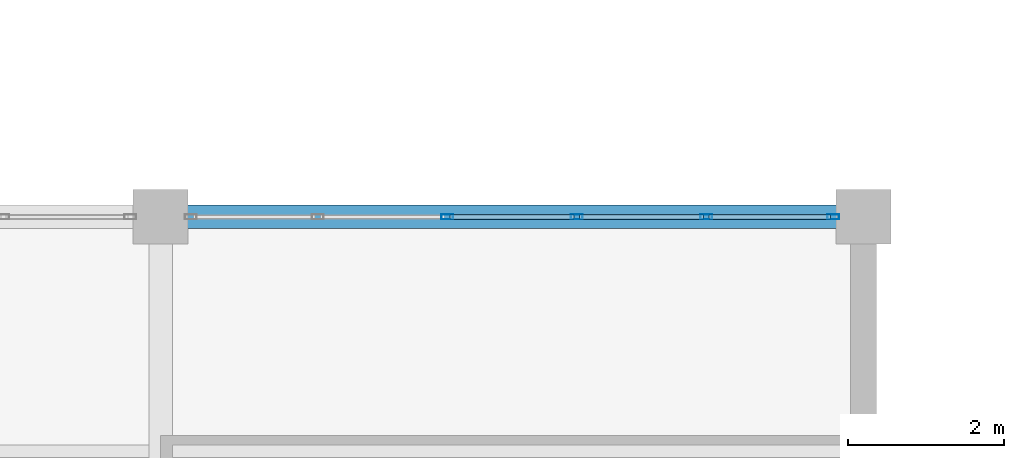
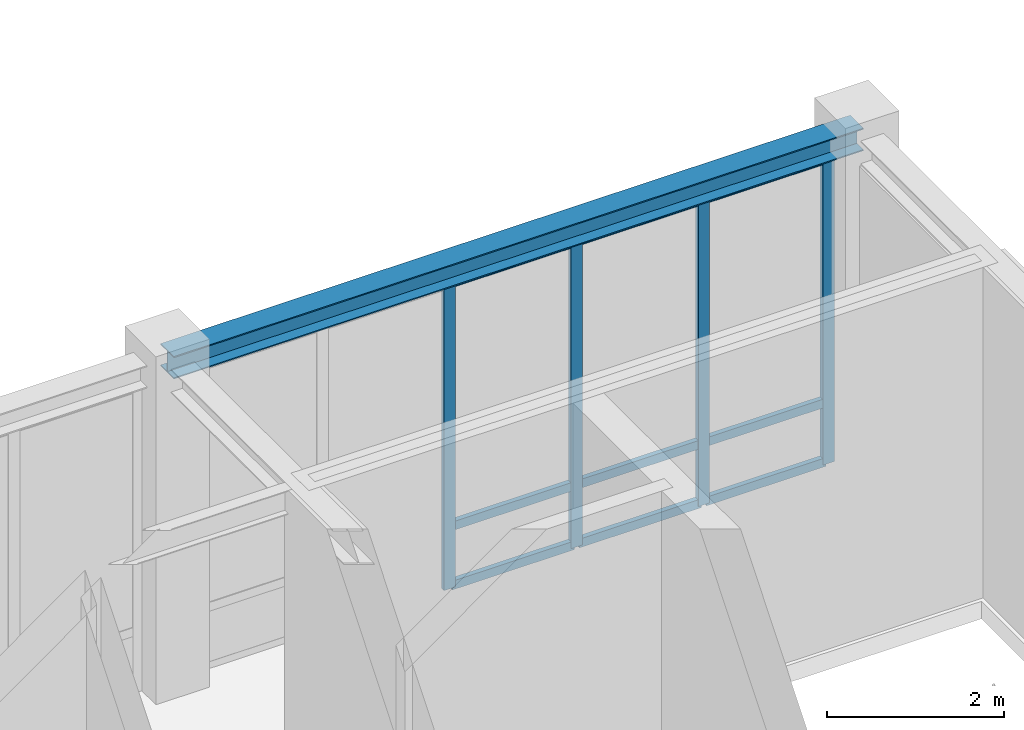
# One storey, part 34 of 98: 13 members, 1 beam, 1 element without a shape of its own.
"""IFC4 building model written with IfcOpenShell, lengths in metres."""

from ifc_helpers import new_model, si_unit, direction, frame, origin, origin_2d, place, context, subcontext, project, spatial, hollow_rectangle, i_section, extrude, material, material_profile, profile_set, type_object, element, aggregate, save


model = new_model("IFC4")

# Units and contexts
model_context = context("Model", 3, precision=1e-05, world=origin(), true_north=direction((0.0, 1.0)))
body_context = subcontext(model_context, "Body", "Model", "MODEL_VIEW")
ifc_project = project(units=[si_unit("LENGTHUNIT", "METRE"), si_unit("AREAUNIT", "SQUARE_METRE"), si_unit("VOLUMEUNIT", "CUBIC_METRE"), si_unit("PLANEANGLEUNIT", "RADIAN"), si_unit("MASSUNIT", "GRAM", prefix="KILO")], contexts=[model_context])

# Site, building, storey
site_placement = place(None, origin())
site = spatial("IfcSite", under=ifc_project, at=site_placement, CompositionType="ELEMENT")
building_placement = place(site_placement, origin())
building = spatial("IfcBuilding", under=site, at=building_placement, Name="Lykobir Media Centre", CompositionType="ELEMENT")
storey_placement = place(building_placement, frame((0.0, 0.0, 10.199951171875)))
storey = spatial("IfcBuildingStorey", under=building, at=storey_placement, Name="L02", CompositionType="ELEMENT", Elevation=10.199951171875)

# Curtain wall, members
ifc_material_1 = material(Name="Anodized Aluminium AW-6060", Category="aluminium")
curtain_wall_type = type_object("IfcCurtainWallType", Name="CW-COURT-A", PredefinedType="NOTDEFINED", material=ifc_material_1)
curtain_wall_placement = place(storey_placement, origin())
curtain_wall = element("IfcCurtainWall", 1, at=curtain_wall_placement, inside=storey, type_object=curtain_wall_type, Name="Curtain wall CW2-L02-0101", PredefinedType="NOTDEFINED")
ifc_material_profile_1 = material_profile(ifc_material_1, hollow_rectangle(XDim=0.06494140625, YDim=0.14990234375, WallThickness=0.00341796875, at=origin_2d()), Name="ALU MULLION 65x150")
ifc_profile_set_1 = profile_set([ifc_material_profile_1], Name="Anodized Aluminium AW-6060")
member_type_1 = type_object("IfcMemberType", Name="CWM-150", PredefinedType="MULLION", material=ifc_profile_set_1)
member_1_placement = place(storey_placement, frame((120.6708984375, 18.0, 0.0), z_axis=(0.0, 0.0, 1.0), x_axis=(0.0, 1.0, 0.0)))
member_1 = element("IfcMember", 2, at=member_1_placement, type_object=member_type_1, Name="CW2-L02-0101 mullion 3", PredefinedType="MULLION", context=body_context, shape_type="SweptSolid", body=[
    extrude(hollow_rectangle(XDim=0.06494140625, YDim=0.14990234375, WallThickness=0.00341796875, at=origin_2d()), origin(), (0.0, 0.0, 1.0), 4.235107421875),
])
member_2_placement = place(storey_placement, frame((122.3291015625, 18.0, 0.0), z_axis=(0.0, 0.0, 1.0), x_axis=(0.0, 1.0, 0.0)))
member_2 = element("IfcMember", 3, at=member_2_placement, type_object=member_type_1, Name="CW2-L02-0101 mullion 4", PredefinedType="MULLION", context=body_context, shape_type="SweptSolid", body=[
    extrude(hollow_rectangle(XDim=0.06494140625, YDim=0.14990234375, WallThickness=0.00341796875, at=origin_2d()), origin(), (0.0, 0.0, 1.0), 4.235107421875),
])
member_3_placement = place(storey_placement, frame((123.987060546875, 18.0, 0.0), z_axis=(0.0, 0.0, 1.0), x_axis=(0.0, 1.0, 0.0)))
member_3 = element("IfcMember", 4, at=member_3_placement, type_object=member_type_1, Name="CW2-L02-0101 mullion 5", PredefinedType="MULLION", context=body_context, shape_type="SweptSolid", body=[
    extrude(hollow_rectangle(XDim=0.06494140625, YDim=0.14990234375, WallThickness=0.00341796875, at=origin_2d()), origin(), (0.0, 0.0, 1.0), 4.235107421875),
])
member_4_placement = place(storey_placement, frame((125.612548828125, 18.0, 0.0), z_axis=(0.0, 0.0, 1.0), x_axis=(0.0, 1.0, 0.0)))
member_4 = element("IfcMember", 5, at=member_4_placement, type_object=member_type_1, Name="CW2-L02-0101 mullion 6", PredefinedType="MULLION", context=body_context, shape_type="SweptSolid", body=[
    extrude(hollow_rectangle(XDim=0.06494140625, YDim=0.14990234375, WallThickness=0.00341796875, at=origin_2d()), origin(), (0.0, 0.0, 1.0), 4.235107421875),
])
ifc_material_profile_2 = material_profile(ifc_material_1, hollow_rectangle(XDim=0.06494140625, YDim=0.1201171875, WallThickness=0.0029296875, at=origin_2d()), Name="ALU TRANSOM 65x120")
ifc_profile_set_2 = profile_set([ifc_material_profile_2], Name="Anodized Aluminium AW-6060")
member_type_2 = type_object("IfcMemberType", Name="CWT-120", PredefinedType="USERDEFINED", material=ifc_profile_set_2)
member_5_placement = place(storey_placement, frame((120.70361328125, 18.0, 0.032470703125), z_axis=(1.0, 0.0, 0.0), x_axis=(0.0, 1.0, 0.0)))
member_5 = element("IfcMember", 6, at=member_5_placement, type_object=member_type_2, Name="CW2-L02-0101 transom 3.1", ObjectType="TRANSOM", PredefinedType="USERDEFINED", context=body_context, shape_type="SweptSolid", body=[
    extrude(hollow_rectangle(XDim=0.06494140625, YDim=0.1201171875, WallThickness=0.0029296875, at=origin_2d()), origin(), (0.0, 0.0, 1.0), 1.5927734375),
])
member_6_placement = place(storey_placement, frame((120.70361328125, 18.0, 0.85009765625), z_axis=(1.0, 0.0, 0.0), x_axis=(0.0, 1.0, 0.0)))
member_6 = element("IfcMember", 7, at=member_6_placement, type_object=member_type_2, Name="CW2-L02-0101 transom 3.2", ObjectType="TRANSOM", PredefinedType="USERDEFINED", context=body_context, shape_type="SweptSolid", body=[
    extrude(hollow_rectangle(XDim=0.06494140625, YDim=0.1201171875, WallThickness=0.0029296875, at=origin_2d()), origin(), (0.0, 0.0, 1.0), 1.5927734375),
])
member_7_placement = place(storey_placement, frame((120.70361328125, 18.0, 4.20263671875), z_axis=(1.0, 0.0, 0.0), x_axis=(0.0, 1.0, 0.0)))
member_7 = element("IfcMember", 8, at=member_7_placement, type_object=member_type_2, Name="CW2-L02-0101 transom 3.3", ObjectType="TRANSOM", PredefinedType="USERDEFINED", context=body_context, shape_type="SweptSolid", body=[
    extrude(hollow_rectangle(XDim=0.06494140625, YDim=0.1201171875, WallThickness=0.0029296875, at=origin_2d()), origin(), (0.0, 0.0, 1.0), 1.5927734375),
])
member_8_placement = place(storey_placement, frame((122.361572265625, 18.0, 0.032470703125), z_axis=(1.0, 0.0, 0.0), x_axis=(0.0, 1.0, 0.0)))
member_8 = element("IfcMember", 9, at=member_8_placement, type_object=member_type_2, Name="CW2-L02-0101 transom 4.1", ObjectType="TRANSOM", PredefinedType="USERDEFINED", context=body_context, shape_type="SweptSolid", body=[
    extrude(hollow_rectangle(XDim=0.06494140625, YDim=0.1201171875, WallThickness=0.0029296875, at=origin_2d()), origin(), (0.0, 0.0, 1.0), 1.593017578125),
])
member_9_placement = place(storey_placement, frame((122.361572265625, 18.0, 0.85009765625), z_axis=(1.0, 0.0, 0.0), x_axis=(0.0, 1.0, 0.0)))
member_9 = element("IfcMember", 10, at=member_9_placement, type_object=member_type_2, Name="CW2-L02-0101 transom 4.2", ObjectType="TRANSOM", PredefinedType="USERDEFINED", context=body_context, shape_type="SweptSolid", body=[
    extrude(hollow_rectangle(XDim=0.06494140625, YDim=0.1201171875, WallThickness=0.0029296875, at=origin_2d()), origin(), (0.0, 0.0, 1.0), 1.593017578125),
])
member_10_placement = place(storey_placement, frame((122.361572265625, 18.0, 4.20263671875), z_axis=(1.0, 0.0, 0.0), x_axis=(0.0, 1.0, 0.0)))
member_10 = element("IfcMember", 11, at=member_10_placement, type_object=member_type_2, Name="CW2-L02-0101 transom 4.3", ObjectType="TRANSOM", PredefinedType="USERDEFINED", context=body_context, shape_type="SweptSolid", body=[
    extrude(hollow_rectangle(XDim=0.06494140625, YDim=0.1201171875, WallThickness=0.0029296875, at=origin_2d()), origin(), (0.0, 0.0, 1.0), 1.593017578125),
])
member_11_placement = place(storey_placement, frame((124.01953125, 18.0, 0.032470703125), z_axis=(1.0, 0.0, 0.0), x_axis=(0.0, 1.0, 0.0)))
member_11 = element("IfcMember", 12, at=member_11_placement, type_object=member_type_2, Name="CW2-L02-0101 transom 5.1", ObjectType="TRANSOM", PredefinedType="USERDEFINED", context=body_context, shape_type="SweptSolid", body=[
    extrude(hollow_rectangle(XDim=0.06494140625, YDim=0.1201171875, WallThickness=0.0029296875, at=origin_2d()), origin(), (0.0, 0.0, 1.0), 1.560546875),
])
member_12_placement = place(storey_placement, frame((124.01953125, 18.0, 0.85009765625), z_axis=(1.0, 0.0, 0.0), x_axis=(0.0, 1.0, 0.0)))
member_12 = element("IfcMember", 13, at=member_12_placement, type_object=member_type_2, Name="CW2-L02-0101 transom 5.2", ObjectType="TRANSOM", PredefinedType="USERDEFINED", context=body_context, shape_type="SweptSolid", body=[
    extrude(hollow_rectangle(XDim=0.06494140625, YDim=0.1201171875, WallThickness=0.0029296875, at=origin_2d()), origin(), (0.0, 0.0, 1.0), 1.560546875),
])
member_13_placement = place(storey_placement, frame((124.01953125, 18.0, 4.20263671875), z_axis=(1.0, 0.0, 0.0), x_axis=(0.0, 1.0, 0.0)))
member_13 = element("IfcMember", 14, at=member_13_placement, type_object=member_type_2, Name="CW2-L02-0101 transom 5.3", ObjectType="TRANSOM", PredefinedType="USERDEFINED", context=body_context, shape_type="SweptSolid", body=[
    extrude(hollow_rectangle(XDim=0.06494140625, YDim=0.1201171875, WallThickness=0.0029296875, at=origin_2d()), origin(), (0.0, 0.0, 1.0), 1.560546875),
])
aggregate(curtain_wall, [member_1, member_2, member_3, member_4, member_5, member_6, member_7, member_8, member_9, member_10, member_11, member_12, member_13])

# Beam
ifc_material_2 = material(Name="Steel S355", Category="steel")
ifc_material_profile_3 = material_profile(ifc_material_2, i_section(OverallWidth=0.300048828125, OverallDepth=0.31005859375, WebThickness=0.009033203125, FlangeThickness=0.015380859375, at=origin_2d()), Name="HEA 320")
ifc_profile_set_3 = profile_set([ifc_material_profile_3], Name="Steel S355")
beam_type = type_object("IfcBeamType", Name="SP-HEA320", PredefinedType="SPANDREL", material=ifc_profile_set_3)
beam_placement = place(storey_placement, frame((117.0, 18.0, 4.405029296875), z_axis=(1.0, 0.0, 0.0), x_axis=(0.0, 1.0, 0.0)))
element("IfcBeam", 15, at=beam_placement, inside=storey, type_object=beam_type, Name="Beam BM-L02-1170-0180-1260-0180-1460", PredefinedType="SPANDREL", context=body_context, shape_type="SweptSolid", body=[
    extrude(i_section(OverallWidth=0.300048828125, OverallDepth=0.31005859375, WebThickness=0.009033203125, FlangeThickness=0.015380859375, at=origin_2d()), origin(), (0.0, 0.0, 1.0), 9.0),
])

save(model, "model.ifc")
